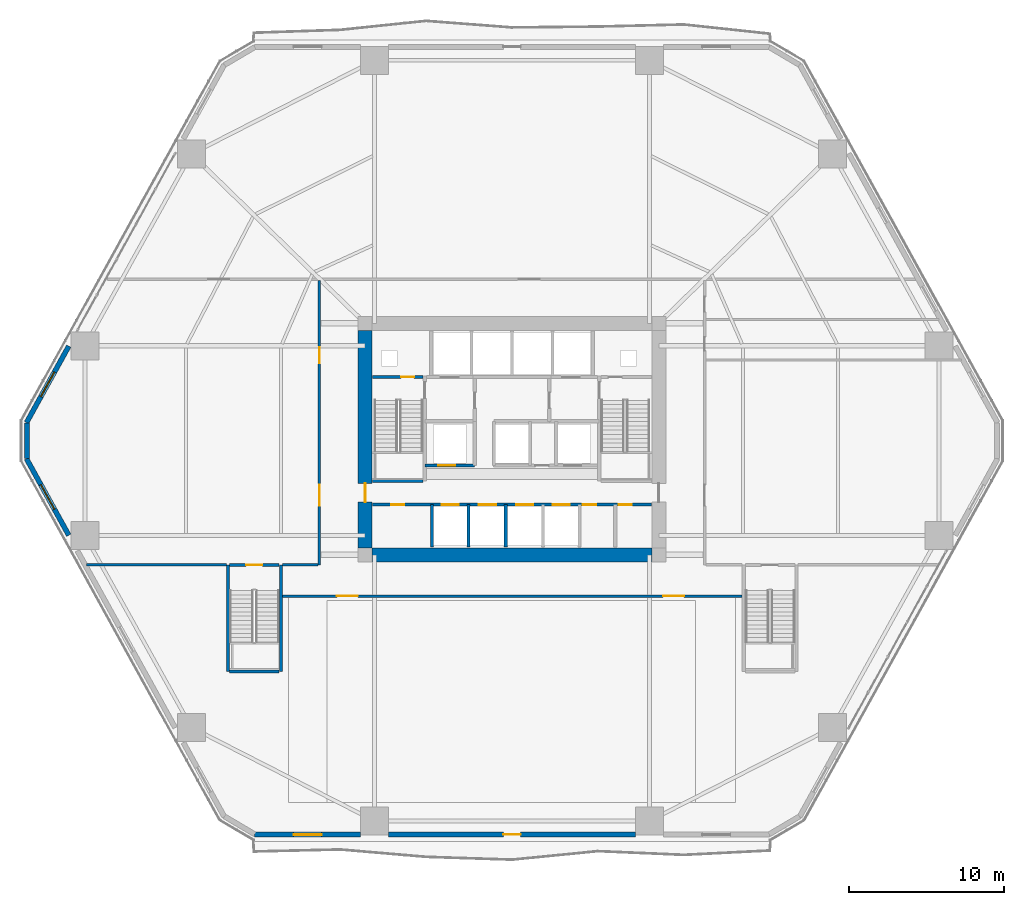
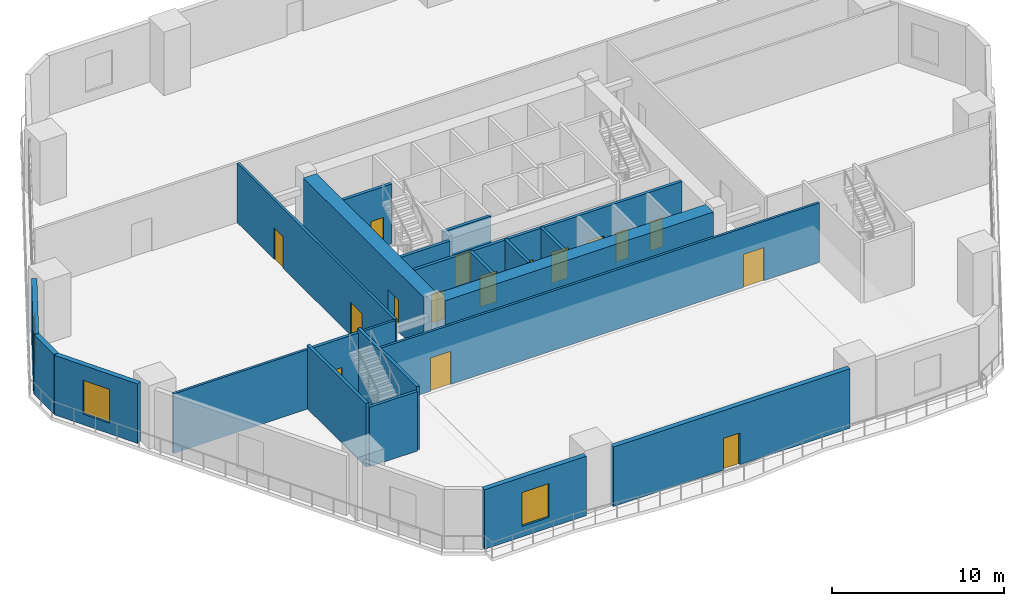
# One storey, part 9 of 18: 22 walls, 16 doors, 3 windows, 19 openings.
"""IFC4 building model written with IfcOpenShell, lengths in metres."""

from ifc_helpers import new_model, si_unit, direction, frame, frame_2d, origin, place, context, subcontext, project, spatial, rectangle, extrude, material, layer, layer_set, type_object, element, fill, save


model = new_model("IFC4")

# Units and contexts
model_context = context("Model", 3, precision=1e-05, world=origin(), true_north=direction((0.0, 1.0)))
body_context = subcontext(model_context, "Body", "Model", "MODEL_VIEW")
ifc_project = project(units=[si_unit("LENGTHUNIT", "METRE"), si_unit("AREAUNIT", "SQUARE_METRE"), si_unit("VOLUMEUNIT", "CUBIC_METRE"), si_unit("PLANEANGLEUNIT", "RADIAN"), si_unit("MASSUNIT", "GRAM", prefix="KILO")], contexts=[model_context])

# Site, building, storey
site_placement = place(None, origin())
site = spatial("IfcSite", under=ifc_project, at=site_placement, CompositionType="ELEMENT")
building_placement = place(site_placement, origin())
building = spatial("IfcBuilding", under=site, at=building_placement, Name="Cinnabar Lancet Tower", CompositionType="ELEMENT")
storey_placement = place(building_placement, frame((0.0, 0.0, 15.0)))
storey = spatial("IfcBuildingStorey", under=building, at=storey_placement, Name="L03", CompositionType="ELEMENT", Elevation=15.0)

# Wall, openings, doors
ifc_material_1 = material(Name="Acoustic twin-stud gypsum partition", Category="gypsum")
ifc_layer_1 = layer(ifc_material_1, 0.159912109375)
ifc_layer_set_1 = layer_set([ifc_layer_1], Name="Acoustic twin-stud gypsum partition")
wall_type_1 = type_object("IfcWallType", Name="ARC-WL-CORR-160", PredefinedType="PARTITIONING", material=ifc_layer_set_1)
wall_1_placement = place(storey_placement, frame((17.625, 15.800048828125, 0.0), z_axis=(0.0, 0.0, 1.0), x_axis=(1.0, 0.0, 0.0)))
wall_1 = element("IfcWall", 1, at=wall_1_placement, inside=storey, type_object=wall_type_1, Name="PW-L03-SHL", PredefinedType="PARTITIONING", context=body_context, shape_type="SweptSolid", body=[
    extrude(rectangle(XDim=29.590087890625, YDim=0.159912109375, at=frame_2d((14.794921875, 0.0))), origin(), (0.0, 0.0, 1.0), 4.219970703125),
])
opening_1_placement = place(wall_1_placement, frame((3.5, 0.0, 0.0)))
opening_1 = element("IfcOpeningElement", 2, at=opening_1_placement, cuts=wall_1, Name="Opening UD-02", PredefinedType="OPENING", context=body_context, shape_type="SweptSolid", body=[
    extrude(rectangle(XDim=1.35009765625, YDim=2.35009765625, at=frame_2d((0.675048828125, 1.175048828125))), frame((0.0, 0.08984375, 0.0), z_axis=(0.0, -1.0, 0.0), x_axis=(1.0, 0.0, 0.0)), (0.0, 0.0, 1.0), 0.179931640625),
])
opening_2_placement = place(wall_1_placement, frame((24.5, 0.0, 0.0)))
opening_2 = element("IfcOpeningElement", 3, at=opening_2_placement, cuts=wall_1, Name="Opening UD-02", PredefinedType="OPENING", context=body_context, shape_type="SweptSolid", body=[
    extrude(rectangle(XDim=1.35009765625, YDim=2.35009765625, at=frame_2d((0.675048828125, 1.175048828125))), frame((0.0, 0.08984375, 0.0), z_axis=(0.0, -1.0, 0.0), x_axis=(1.0, 0.0, 0.0)), (0.0, 0.0, 1.0), 0.179931640625),
])
ifc_material_2 = material(Name="Double-leaf solid timber penthouse entrance door", Category="wood")
door_type_1 = type_object("IfcDoorType", Name="ARC-DR-UNIT-PH", OperationType="NOTDEFINED", PredefinedType="DOOR", material=ifc_material_2)
door_1_placement = place(opening_1_placement, origin())
door_1 = element("IfcDoor", 4, at=door_1_placement, inside=storey, type_object=door_type_1, Name="DR-L03-MAIN1", OperationType="SINGLE_SWING_LEFT", OverallHeight=2.35009765625, OverallWidth=1.35009765625, PredefinedType="DOOR", context=body_context, shape_type="SweptSolid", body=[
    extrude(rectangle(XDim=1.35009765625, YDim=2.35009765625, at=frame_2d((0.675048828125, 1.175048828125))), frame((0.0, 0.02490234375, 0.0), z_axis=(0.0, -1.0, 0.0), x_axis=(1.0, 0.0, 0.0)), (0.0, 0.0, 1.0), 0.050048828125),
])
fill(opening_1, door_1)
door_2_placement = place(opening_2_placement, origin())
door_2 = element("IfcDoor", 5, at=door_2_placement, inside=storey, type_object=door_type_1, Name="DR-L03-MAIN2", OperationType="SINGLE_SWING_RIGHT", OverallHeight=2.35009765625, OverallWidth=1.35009765625, PredefinedType="DOOR", context=body_context, shape_type="SweptSolid", body=[
    extrude(rectangle(XDim=1.35009765625, YDim=2.35009765625, at=frame_2d((0.675048828125, 1.175048828125))), frame((0.0, 0.02490234375, 0.0), z_axis=(0.0, -1.0, 0.0), x_axis=(1.0, 0.0, 0.0)), (0.0, 0.0, 1.0), 0.050048828125),
])
fill(opening_2, door_2)

# Walls
wall_2_placement = place(storey_placement, frame((17.625, 17.800048828125, 0.0), z_axis=(0.0, 0.0, 1.0), x_axis=(1.0, 0.0, 0.0)))
element("IfcWall", 6, at=wall_2_placement, inside=storey, type_object=wall_type_1, Name="PW-L03-WSTEP", PredefinedType="PARTITIONING", context=body_context, shape_type="SweptSolid", body=[
    extrude(rectangle(XDim=2.2900390625, YDim=0.159912109375, at=frame_2d((1.14501953125, 0.0))), origin(), (0.0, 0.0, 1.0), 4.219970703125),
])
wall_3_placement = place(storey_placement, frame((5.02001953125, 17.800048828125, 0.0), z_axis=(0.0, 0.0, 1.0), x_axis=(1.0, 0.0, 0.0)))
element("IfcWall", 7, at=wall_3_placement, inside=storey, type_object=wall_type_1, Name="PW-L03-WSF", PredefinedType="PARTITIONING", context=body_context, shape_type="SweptSolid", body=[
    extrude(rectangle(XDim=8.994873046875, YDim=0.159912109375, at=frame_2d((4.49755859375, 0.0))), origin(), (0.0, 0.0, 1.0), 4.219970703125),
])

# Wall, openings, doors
wall_4_placement = place(storey_placement, frame((20.0, 17.800048828125, 0.0), z_axis=(0.0, 0.0, 1.0), x_axis=(0.0, 1.0, 0.0)))
wall_4 = element("IfcWall", 8, at=wall_4_placement, inside=storey, type_object=wall_type_1, Name="PW-L03-WWG", PredefinedType="PARTITIONING", context=body_context, shape_type="SweptSolid", body=[
    extrude(rectangle(XDim=18.31494140625, YDim=0.159912109375, at=frame_2d((9.157470703125, 0.0))), origin(), (0.0, 0.0, 1.0), 4.219970703125),
])
opening_3_placement = place(wall_4_placement, frame((3.800048828125, 0.0, 0.0)))
opening_3 = element("IfcOpeningElement", 9, at=opening_3_placement, cuts=wall_4, Name="Opening UD-02", PredefinedType="OPENING", context=body_context, shape_type="SweptSolid", body=[
    extrude(rectangle(XDim=1.35009765625, YDim=2.35009765625, at=frame_2d((0.675048828125, 1.175048828125))), frame((0.0, 0.08984375, 0.0), z_axis=(0.0, -1.0, 0.0), x_axis=(1.0, 0.0, 0.0)), (0.0, 0.0, 1.0), 0.179931640625),
])
opening_4_placement = place(wall_4_placement, frame((13.0, 0.0, 0.0)))
opening_4 = element("IfcOpeningElement", 10, at=opening_4_placement, cuts=wall_4, Name="Opening UD-01", PredefinedType="OPENING", context=body_context, shape_type="SweptSolid", body=[
    extrude(rectangle(XDim=1.02001953125, YDim=2.25, at=frame_2d((0.510009765625, 1.125))), frame((0.0, 0.08984375, 0.0), z_axis=(0.0, -1.0, 0.0), x_axis=(1.0, 0.0, 0.0)), (0.0, 0.0, 1.0), 0.179931640625),
])
ifc_material_3 = material(Name="Solid timber fire-rated apartment entrance door", Category="wood")
door_type_2 = type_object("IfcDoorType", Name="ARC-DR-UNIT", OperationType="NOTDEFINED", PredefinedType="DOOR", material=ifc_material_3)
door_3_placement = place(opening_4_placement, origin())
door_3 = element("IfcDoor", 11, at=door_3_placement, inside=storey, type_object=door_type_2, Name="DR-L03-WEST2", OperationType="SINGLE_SWING_RIGHT", OverallHeight=2.25, OverallWidth=1.02001953125, PredefinedType="DOOR", context=body_context, shape_type="SweptSolid", body=[
    extrude(rectangle(XDim=1.02001953125, YDim=2.25, at=frame_2d((0.510009765625, 1.125))), frame((0.0, 0.02490234375, 0.0), z_axis=(0.0, -1.0, 0.0), x_axis=(1.0, 0.0, 0.0)), (0.0, 0.0, 1.0), 0.050048828125),
])
fill(opening_4, door_3)
door_4_placement = place(opening_3_placement, origin())
door_4 = element("IfcDoor", 12, at=door_4_placement, inside=storey, type_object=door_type_1, Name="DR-L03-WEST1", OperationType="SINGLE_SWING_LEFT", OverallHeight=2.35009765625, OverallWidth=1.35009765625, PredefinedType="DOOR", context=body_context, shape_type="SweptSolid", body=[
    extrude(rectangle(XDim=1.35009765625, YDim=2.35009765625, at=frame_2d((0.675048828125, 1.175048828125))), frame((0.0, 0.02490234375, 0.0), z_axis=(0.0, -1.0, 0.0), x_axis=(1.0, 0.0, 0.0)), (0.0, 0.0, 1.0), 0.050048828125),
])
fill(opening_3, door_4)

# Wall
ifc_material_4 = material(Name="Autoclaved aerated concrete blockwork", Category="masonry")
ifc_layer_2 = layer(ifc_material_4, 0.199951171875)
ifc_layer_set_2 = layer_set([ifc_layer_2], Name="Autoclaved aerated concrete blockwork")
wall_type_2 = type_object("IfcWallType", Name="ARC-WL-SHAFT-200", PredefinedType="PLUMBINGWALL", material=ifc_layer_set_2)
wall_5_placement = place(storey_placement, frame((23.405029296875, 23.199951171875, 0.0), z_axis=(0.0, 0.0, 1.0), x_axis=(1.0, 0.0, 0.0)))
element("IfcWall", 13, at=wall_5_placement, inside=storey, type_object=wall_type_2, Name="CW-ST1S-L03", PredefinedType="PLUMBINGWALL", context=body_context, shape_type="SweptSolid", body=[
    extrude(rectangle(XDim=3.27001953125, YDim=0.199951171875, at=frame_2d((1.635009765625, 0.0))), origin(), (0.0, 0.0, 1.0), 4.219970703125),
])

# Wall, opening, door
wall_6_placement = place(storey_placement, frame((23.405029296875, 29.89990234375, 0.0), z_axis=(0.0, 0.0, 1.0), x_axis=(1.0, 0.0, 0.0)))
wall_6 = element("IfcWall", 14, at=wall_6_placement, inside=storey, type_object=wall_type_2, Name="CW-NSH-W-L03", PredefinedType="PLUMBINGWALL", context=body_context, shape_type="SweptSolid", body=[
    extrude(rectangle(XDim=3.27001953125, YDim=0.199951171875, at=frame_2d((1.635009765625, 0.0))), origin(), (0.0, 0.0, 1.0), 4.219970703125),
])
opening_5_placement = place(wall_6_placement, frame((1.85009765625, 0.0, 0.0)))
opening_5 = element("IfcOpeningElement", 15, at=opening_5_placement, cuts=wall_6, Name="Opening PD-02", PredefinedType="OPENING", context=body_context, shape_type="SweptSolid", body=[
    extrude(rectangle(XDim=0.85009765625, YDim=2.050048828125, at=frame_2d((0.425048828125, 1.02490234375))), frame((0.0, 0.10986328125, 0.0), z_axis=(0.0, -1.0, 0.0), x_axis=(1.0, 0.0, 0.0)), (0.0, 0.0, 1.0), 0.219970703125),
])
ifc_material_5 = material(Name="Fire-rated steel riser access door", Category="steel")
door_type_3 = type_object("IfcDoorType", Name="ARC-DR-RISER", OperationType="NOTDEFINED", PredefinedType="DOOR", material=ifc_material_5)
door_5_placement = place(opening_5_placement, origin())
door_5 = element("IfcDoor", 16, at=door_5_placement, inside=storey, type_object=door_type_3, Name="L03 West Riser Access Door", OperationType="SINGLE_SWING_LEFT", OverallHeight=2.050048828125, OverallWidth=0.85009765625, PredefinedType="DOOR", context=body_context, shape_type="SweptSolid", body=[
    extrude(rectangle(XDim=0.85009765625, YDim=2.050048828125, at=frame_2d((0.425048828125, 1.02490234375))), frame((0.0, 0.02490234375, 0.0), z_axis=(0.0, -1.0, 0.0), x_axis=(1.0, 0.0, 0.0)), (0.0, 0.0, 1.0), 0.050048828125),
])
fill(opening_5, door_5)

wall_7_placement = place(storey_placement, frame((26.800048828125, 24.199951171875, 0.0), z_axis=(0.0, 0.0, 1.0), x_axis=(1.0, 0.0, 0.0)))
wall_7 = element("IfcWall", 17, at=wall_7_placement, inside=storey, type_object=wall_type_2, Name="CW-PL5S-L03", PredefinedType="PLUMBINGWALL", context=body_context, shape_type="SweptSolid", body=[
    extrude(rectangle(XDim=3.199951171875, YDim=0.199951171875, at=frame_2d((1.60009765625, 0.0))), origin(), (0.0, 0.0, 1.0), 4.219970703125),
])
opening_6_placement = place(wall_7_placement, frame((0.85009765625, 0.0, 0.0)))
opening_6 = element("IfcOpeningElement", 18, at=opening_6_placement, cuts=wall_7, Name="Opening LD-01", PredefinedType="OPENING", context=body_context, shape_type="SweptSolid", body=[
    extrude(rectangle(XDim=1.10009765625, YDim=2.199951171875, at=frame_2d((0.550048828125, 1.10009765625))), frame((0.0, 0.10986328125, 0.0), z_axis=(0.0, -1.0, 0.0), x_axis=(1.0, 0.0, 0.0)), (0.0, 0.0, 1.0), 0.219970703125),
])
ifc_material_6 = material(Name="Brushed stainless steel sliding lift door", Category="steel")
door_type_4 = type_object("IfcDoorType", Name="ARC-DR-LD-PASS", OperationType="NOTDEFINED", PredefinedType="DOOR", material=ifc_material_6)
door_6_placement = place(opening_6_placement, origin())
door_6 = element("IfcDoor", 19, at=door_6_placement, inside=storey, type_object=door_type_4, Name="L03 Lift PL-5 Landing Door", OperationType="DOUBLE_DOOR_SLIDING", OverallHeight=2.199951171875, OverallWidth=1.10009765625, PredefinedType="DOOR", context=body_context, shape_type="SweptSolid", body=[
    extrude(rectangle(XDim=1.10009765625, YDim=2.199951171875, at=frame_2d((0.550048828125, 1.10009765625))), frame((0.0, 0.02490234375, 0.0), z_axis=(0.0, -1.0, 0.0), x_axis=(1.0, 0.0, 0.0)), (0.0, 0.0, 1.0), 0.050048828125),
])
fill(opening_6, door_6)

# Wall, openings, doors
wall_8_placement = place(storey_placement, frame((23.419921875, 21.679931640625, 0.0), z_axis=(0.0, 0.0, 1.0), x_axis=(1.0, 0.0, 0.0)))
wall_8 = element("IfcWall", 20, at=wall_8_placement, inside=storey, type_object=wall_type_2, Name="CW-SBANDN-L03", PredefinedType="PLUMBINGWALL", context=body_context, shape_type="SweptSolid", body=[
    extrude(rectangle(XDim=17.9599609375, YDim=0.199951171875, at=frame_2d((8.97998046875, 0.0))), origin(), (0.0, 0.0, 1.0), 4.219970703125),
])
opening_7_placement = place(wall_8_placement, frame((4.449951171875, 0.0, 0.0)))
opening_7 = element("IfcOpeningElement", 21, at=opening_7_placement, cuts=wall_8, Name="Opening LD-01", PredefinedType="OPENING", context=body_context, shape_type="SweptSolid", body=[
    extrude(rectangle(XDim=1.10009765625, YDim=2.199951171875, at=frame_2d((0.550048828125, 1.10009765625))), frame((0.0, 0.10986328125, 0.0), z_axis=(0.0, -1.0, 0.0), x_axis=(1.0, 0.0, 0.0)), (0.0, 0.0, 1.0), 0.219970703125),
])
opening_8_placement = place(wall_8_placement, frame((6.85009765625, 0.0, 0.0)))
opening_8 = element("IfcOpeningElement", 22, at=opening_8_placement, cuts=wall_8, Name="Opening LD-01", PredefinedType="OPENING", context=body_context, shape_type="SweptSolid", body=[
    extrude(rectangle(XDim=1.10009765625, YDim=2.199951171875, at=frame_2d((0.550048828125, 1.10009765625))), frame((0.0, 0.10986328125, 0.0), z_axis=(0.0, -1.0, 0.0), x_axis=(1.0, 0.0, 0.0)), (0.0, 0.0, 1.0), 0.219970703125),
])
opening_9_placement = place(wall_8_placement, frame((9.25, 0.0, 0.0)))
opening_9 = element("IfcOpeningElement", 23, at=opening_9_placement, cuts=wall_8, Name="Opening LD-01", PredefinedType="OPENING", context=body_context, shape_type="SweptSolid", body=[
    extrude(rectangle(XDim=1.10009765625, YDim=2.199951171875, at=frame_2d((0.550048828125, 1.10009765625))), frame((0.0, 0.10986328125, 0.0), z_axis=(0.0, -1.0, 0.0), x_axis=(1.0, 0.0, 0.0)), (0.0, 0.0, 1.0), 0.219970703125),
])
opening_10_placement = place(wall_8_placement, frame((11.60009765625, 0.0, 0.0)))
opening_10 = element("IfcOpeningElement", 24, at=opening_10_placement, cuts=wall_8, Name="Opening LD-01", PredefinedType="OPENING", context=body_context, shape_type="SweptSolid", body=[
    extrude(rectangle(XDim=1.10009765625, YDim=2.199951171875, at=frame_2d((0.550048828125, 1.10009765625))), frame((0.0, 0.10986328125, 0.0), z_axis=(0.0, -1.0, 0.0), x_axis=(1.0, 0.0, 0.0)), (0.0, 0.0, 1.0), 0.219970703125),
])
opening_11_placement = place(wall_8_placement, frame((1.199951171875, 0.0, 0.0)))
opening_11 = element("IfcOpeningElement", 25, at=opening_11_placement, cuts=wall_8, Name="Opening PD-02", PredefinedType="OPENING", context=body_context, shape_type="SweptSolid", body=[
    extrude(rectangle(XDim=0.85009765625, YDim=2.050048828125, at=frame_2d((0.425048828125, 1.02490234375))), frame((0.0, 0.10986328125, 0.0), z_axis=(0.0, -1.0, 0.0), x_axis=(1.0, 0.0, 0.0)), (0.0, 0.0, 1.0), 0.219970703125),
])
opening_12_placement = place(wall_8_placement, frame((13.550048828125, 0.0, 0.0)))
opening_12 = element("IfcOpeningElement", 26, at=opening_12_placement, cuts=wall_8, Name="Opening PD-02", PredefinedType="OPENING", context=body_context, shape_type="SweptSolid", body=[
    extrude(rectangle(XDim=0.85009765625, YDim=2.050048828125, at=frame_2d((0.425048828125, 1.02490234375))), frame((0.0, 0.10986328125, 0.0), z_axis=(0.0, -1.0, 0.0), x_axis=(1.0, 0.0, 0.0)), (0.0, 0.0, 1.0), 0.219970703125),
])
opening_13_placement = place(wall_8_placement, frame((15.85009765625, 0.0, 0.0)))
opening_13 = element("IfcOpeningElement", 27, at=opening_13_placement, cuts=wall_8, Name="Opening PD-02", PredefinedType="OPENING", context=body_context, shape_type="SweptSolid", body=[
    extrude(rectangle(XDim=0.85009765625, YDim=2.050048828125, at=frame_2d((0.425048828125, 1.02490234375))), frame((0.0, 0.10986328125, 0.0), z_axis=(0.0, -1.0, 0.0), x_axis=(1.0, 0.0, 0.0)), (0.0, 0.0, 1.0), 0.219970703125),
])
door_7_placement = place(opening_7_placement, origin())
door_7 = element("IfcDoor", 28, at=door_7_placement, inside=storey, type_object=door_type_4, Name="L03 Lift PL-1 Landing Door", OperationType="DOUBLE_DOOR_SLIDING", OverallHeight=2.199951171875, OverallWidth=1.10009765625, PredefinedType="DOOR", context=body_context, shape_type="SweptSolid", body=[
    extrude(rectangle(XDim=1.10009765625, YDim=2.199951171875, at=frame_2d((0.550048828125, 1.10009765625))), frame((0.0, 0.02490234375, 0.0), z_axis=(0.0, -1.0, 0.0), x_axis=(1.0, 0.0, 0.0)), (0.0, 0.0, 1.0), 0.050048828125),
])
fill(opening_7, door_7)
door_8_placement = place(opening_8_placement, origin())
door_8 = element("IfcDoor", 29, at=door_8_placement, inside=storey, type_object=door_type_4, Name="L03 Lift PL-2 Landing Door", OperationType="DOUBLE_DOOR_SLIDING", OverallHeight=2.199951171875, OverallWidth=1.10009765625, PredefinedType="DOOR", context=body_context, shape_type="SweptSolid", body=[
    extrude(rectangle(XDim=1.10009765625, YDim=2.199951171875, at=frame_2d((0.550048828125, 1.10009765625))), frame((0.0, 0.02490234375, 0.0), z_axis=(0.0, -1.0, 0.0), x_axis=(1.0, 0.0, 0.0)), (0.0, 0.0, 1.0), 0.050048828125),
])
fill(opening_8, door_8)
door_9_placement = place(opening_9_placement, origin())
door_9 = element("IfcDoor", 30, at=door_9_placement, inside=storey, type_object=door_type_4, Name="L03 Lift PL-3 Landing Door", OperationType="DOUBLE_DOOR_SLIDING", OverallHeight=2.199951171875, OverallWidth=1.10009765625, PredefinedType="DOOR", context=body_context, shape_type="SweptSolid", body=[
    extrude(rectangle(XDim=1.10009765625, YDim=2.199951171875, at=frame_2d((0.550048828125, 1.10009765625))), frame((0.0, 0.02490234375, 0.0), z_axis=(0.0, -1.0, 0.0), x_axis=(1.0, 0.0, 0.0)), (0.0, 0.0, 1.0), 0.050048828125),
])
fill(opening_9, door_9)
door_10_placement = place(opening_10_placement, origin())
door_10 = element("IfcDoor", 31, at=door_10_placement, inside=storey, type_object=door_type_4, Name="L03 Lift PL-4 Landing Door", OperationType="DOUBLE_DOOR_SLIDING", OverallHeight=2.199951171875, OverallWidth=1.10009765625, PredefinedType="DOOR", context=body_context, shape_type="SweptSolid", body=[
    extrude(rectangle(XDim=1.10009765625, YDim=2.199951171875, at=frame_2d((0.550048828125, 1.10009765625))), frame((0.0, 0.02490234375, 0.0), z_axis=(0.0, -1.0, 0.0), x_axis=(1.0, 0.0, 0.0)), (0.0, 0.0, 1.0), 0.050048828125),
])
fill(opening_10, door_10)
door_11_placement = place(opening_11_placement, origin())
door_11 = element("IfcDoor", 32, at=door_11_placement, inside=storey, type_object=door_type_3, Name="DR-L03-SW1", OperationType="SINGLE_SWING_LEFT", OverallHeight=2.050048828125, OverallWidth=0.85009765625, PredefinedType="DOOR", context=body_context, shape_type="SweptSolid", body=[
    extrude(rectangle(XDim=0.85009765625, YDim=2.050048828125, at=frame_2d((0.425048828125, 1.02490234375))), frame((0.0, 0.02490234375, 0.0), z_axis=(0.0, -1.0, 0.0), x_axis=(1.0, 0.0, 0.0)), (0.0, 0.0, 1.0), 0.050048828125),
])
fill(opening_11, door_11)
door_12_placement = place(opening_12_placement, origin())
door_12 = element("IfcDoor", 33, at=door_12_placement, inside=storey, type_object=door_type_3, Name="DR-L03-SE1", OperationType="SINGLE_SWING_LEFT", OverallHeight=2.050048828125, OverallWidth=0.85009765625, PredefinedType="DOOR", context=body_context, shape_type="SweptSolid", body=[
    extrude(rectangle(XDim=0.85009765625, YDim=2.050048828125, at=frame_2d((0.425048828125, 1.02490234375))), frame((0.0, 0.02490234375, 0.0), z_axis=(0.0, -1.0, 0.0), x_axis=(1.0, 0.0, 0.0)), (0.0, 0.0, 1.0), 0.050048828125),
])
fill(opening_12, door_12)
door_13_placement = place(opening_13_placement, origin())
door_13 = element("IfcDoor", 34, at=door_13_placement, inside=storey, type_object=door_type_3, Name="DR-L03-SE2", OperationType="SINGLE_SWING_RIGHT", OverallHeight=2.050048828125, OverallWidth=0.85009765625, PredefinedType="DOOR", context=body_context, shape_type="SweptSolid", body=[
    extrude(rectangle(XDim=0.85009765625, YDim=2.050048828125, at=frame_2d((0.425048828125, 1.02490234375))), frame((0.0, 0.02490234375, 0.0), z_axis=(0.0, -1.0, 0.0), x_axis=(1.0, 0.0, 0.0)), (0.0, 0.0, 1.0), 0.050048828125),
])
fill(opening_13, door_13)

# Walls
for number, where, z_axis, x_axis, name in (
    (35, (27.25, 18.949951171875, 0.0), (0.0, 0.0, 1.0), (0.0, 1.0, 0.0), "CW-SB-2725-L03"),
    (36, (29.60009765625, 18.949951171875, 0.0), (0.0, 0.0, 1.0), (0.0, 1.0, 0.0), "CW-SB-2960-L03"),
    (37, (32.0, 18.949951171875, 0.0), (0.0, 0.0, 1.0), (0.0, 1.0, 0.0), "CW-SB-3200-L03"),
):
    element("IfcWall", number, at=place(storey_placement, frame(where, z_axis=z_axis, x_axis=x_axis)), inside=storey, type_object=wall_type_2, Name=name, PredefinedType="PLUMBINGWALL", context=body_context, shape_type="SweptSolid", body=[
        extrude(rectangle(XDim=2.72998046875, YDim=0.199951171875, at=frame_2d((1.364990234375, 0.0))), origin(), (0.0, 0.0, 1.0), 4.219970703125),
    ])
wall_9_placement = place(storey_placement, frame((14.22509765625, 10.949951171875, 0.0), z_axis=(0.0, 0.0, 1.0), x_axis=(1.0, 0.0, 0.0)))
element("IfcWall", 38, at=wall_9_placement, inside=storey, type_object=wall_type_2, Name="PW-ST3S-L03", PredefinedType="PLUMBINGWALL", context=body_context, shape_type="SweptSolid", body=[
    extrude(rectangle(XDim=3.18994140625, YDim=0.199951171875, at=frame_2d((1.594970703125, 0.0))), origin(), (0.0, 0.0, 1.0), 4.219970703125),
])

# Wall, opening, door
wall_10_placement = place(storey_placement, frame((14.22509765625, 17.800048828125, 0.0), z_axis=(0.0, 0.0, 1.0), x_axis=(1.0, 0.0, 0.0)))
wall_10 = element("IfcWall", 39, at=wall_10_placement, inside=storey, type_object=wall_type_2, Name="PW-ST3N-L03", PredefinedType="PLUMBINGWALL", context=body_context, shape_type="SweptSolid", body=[
    extrude(rectangle(XDim=3.18994140625, YDim=0.199951171875, at=frame_2d((1.594970703125, 0.0))), origin(), (0.0, 0.0, 1.0), 4.219970703125),
])
opening_14_placement = place(wall_10_placement, frame((1.050048828125, 0.0, 0.0)))
opening_14 = element("IfcOpeningElement", 40, at=opening_14_placement, cuts=wall_10, Name="Opening SD-01", PredefinedType="OPENING", context=body_context, shape_type="SweptSolid", body=[
    extrude(rectangle(XDim=1.050048828125, YDim=2.14990234375, at=frame_2d((0.52490234375, 1.074951171875))), frame((0.0, 0.10986328125, 0.0), z_axis=(0.0, -1.0, 0.0), x_axis=(1.0, 0.0, 0.0)), (0.0, 0.0, 1.0), 0.219970703125),
])
ifc_material_7 = material(Name="Fire-rated steel stair exit door", Category="steel")
door_type_5 = type_object("IfcDoorType", Name="ARC-DR-STAIR", OperationType="NOTDEFINED", PredefinedType="DOOR", material=ifc_material_7)
door_14_placement = place(opening_14_placement, origin())
door_14 = element("IfcDoor", 41, at=door_14_placement, inside=storey, type_object=door_type_5, Name="L03 Podium Stair ST-3 Fire Door", OperationType="SINGLE_SWING_LEFT", OverallHeight=2.14990234375, OverallWidth=1.050048828125, PredefinedType="DOOR", context=body_context, shape_type="SweptSolid", body=[
    extrude(rectangle(XDim=1.050048828125, YDim=2.14990234375, at=frame_2d((0.52490234375, 1.074951171875))), frame((0.0, 0.02490234375, 0.0), z_axis=(0.0, -1.0, 0.0), x_axis=(1.0, 0.0, 0.0)), (0.0, 0.0, 1.0), 0.050048828125),
])
fill(opening_14, door_14)

# Wall
ifc_material_8 = material(Name="Warm buff clay brick", Category="masonry")
ifc_layer_3 = layer(ifc_material_8, 0.320068359375)
ifc_layer_set_3 = layer_set([ifc_layer_3], Name="Warm buff clay brick")
wall_type_3 = type_object("IfcWallType", Name="ENV-WL-BRK-BUF-320", PredefinedType="STANDARD", material=ifc_layer_set_3)
wall_11_placement = place(storey_placement, frame((1.1650390625, 26.9541015625, 0.0), z_axis=(0.0, 0.0, 1.0), x_axis=(0.0, -1.0, 0.0)))
element("IfcWall", 42, at=wall_11_placement, inside=storey, type_object=wall_type_3, Name="L03 Chamfered Corner Brick Pier 6.1", PredefinedType="STANDARD", context=body_context, shape_type="SweptSolid", body=[
    extrude(rectangle(XDim=2.30810546875, YDim=0.320068359375, at=frame_2d((1.154052734375, 0.0))), origin(), (0.0, 0.0, 1.0), 4.219970703125),
])

# Wall, opening, window
wall_12_placement = place(storey_placement, frame((15.83203125, 0.43994140625, 0.0), z_axis=(0.0, 0.0, 1.0), x_axis=(1.0, 0.0, 0.0)))
wall_12 = element("IfcWall", 43, at=wall_12_placement, inside=storey, type_object=wall_type_3, Name="L03 Face 1 Masonry Bay Wall 1", PredefinedType="STANDARD", context=body_context, shape_type="SweptSolid", body=[
    extrude(rectangle(XDim=6.81884765625, YDim=0.320068359375, at=frame_2d((3.409423828125, 0.0))), origin(), (0.0, 0.0, 1.0), 4.219970703125),
])
opening_15_placement = place(wall_12_placement, frame((2.509033203125, 0.0, 0.75)))
opening_15 = element("IfcOpeningElement", 44, at=opening_15_placement, cuts=wall_12, Name="Opening WN-05", PredefinedType="OPENING", context=body_context, shape_type="SweptSolid", body=[
    extrude(rectangle(XDim=1.800048828125, YDim=2.39990234375, at=frame_2d((0.89990234375, 1.199951171875))), frame((0.0, 0.169921875, 0.0), z_axis=(0.0, -1.0, 0.0), x_axis=(1.0, 0.0, 0.0)), (0.0, 0.0, 1.0), 0.340087890625),
])
ifc_material_9 = material(Name="Thermally broken bronze-anodized aluminium podium lancet window", Category="aluminium")
window_type = type_object("IfcWindowType", Name="ENV-WN-POD-1800", PartitioningType="SINGLE_PANEL", PredefinedType="WINDOW", material=ifc_material_9)
window_1_placement = place(opening_15_placement, origin())
window_1 = element("IfcWindow", 45, at=window_1_placement, inside=storey, type_object=window_type, Name="L03 Face 1 Gothic Lancet Window 1", OverallHeight=2.39990234375, OverallWidth=1.800048828125, PartitioningType="SINGLE_PANEL", PredefinedType="WINDOW", context=body_context, shape_type="SweptSolid", body=[
    extrude(rectangle(XDim=1.800048828125, YDim=2.39990234375, at=frame_2d((0.89990234375, 1.199951171875))), frame((0.0, 0.030029296875, 0.0), z_axis=(0.0, -1.0, 0.0), x_axis=(1.0, 0.0, 0.0)), (0.0, 0.0, 1.0), 0.06005859375),
])
fill(opening_15, window_1)

# Wall, opening, door
wall_13_placement = place(storey_placement, frame((24.458984375, 0.43994140625, 0.0), z_axis=(0.0, 0.0, 1.0), x_axis=(1.0, 0.0, 0.0)))
wall_13 = element("IfcWall", 46, at=wall_13_placement, inside=storey, type_object=wall_type_3, Name="L03 Face 1 Masonry Bay Wall 2", PredefinedType="STANDARD", context=body_context, shape_type="SweptSolid", body=[
    extrude(rectangle(XDim=15.882080078125, YDim=0.320068359375, at=frame_2d((7.94091796875, 0.0))), origin(), (0.0, 0.0, 1.0), 4.219970703125),
])
opening_16_placement = place(wall_13_placement, frame((7.39111328125, 0.0, 0.0)))
opening_16 = element("IfcOpeningElement", 47, at=opening_16_placement, cuts=wall_13, Name="Opening TD-01", PredefinedType="OPENING", context=body_context, shape_type="SweptSolid", body=[
    extrude(rectangle(XDim=1.10009765625, YDim=2.25, at=frame_2d((0.550048828125, 1.125))), frame((0.0, 0.169921875, 0.0), z_axis=(0.0, -1.0, 0.0), x_axis=(1.0, 0.0, 0.0)), (0.0, 0.0, 1.0), 0.340087890625),
])
ifc_material_10 = material(Name="Thermally broken low-E glazed balcony terrace door", Category="wood")
door_type_6 = type_object("IfcDoorType", Name="ARC-DR-BALC", OperationType="NOTDEFINED", PredefinedType="DOOR", material=ifc_material_10)
door_15_placement = place(opening_16_placement, origin())
door_15 = element("IfcDoor", 48, at=door_15_placement, inside=storey, type_object=door_type_6, Name="L03 Face 1 Glazed Terrace Door", OperationType="SINGLE_SWING_RIGHT", OverallHeight=2.25, OverallWidth=1.10009765625, PredefinedType="DOOR", context=body_context, shape_type="SweptSolid", body=[
    extrude(rectangle(XDim=1.10009765625, YDim=2.25, at=frame_2d((0.550048828125, 1.125))), frame((0.0, 0.02490234375, 0.0), z_axis=(0.0, -1.0, 0.0), x_axis=(1.0, 0.0, 0.0)), (0.0, 0.0, 1.0), 0.050048828125),
])
fill(opening_16, door_15)

# Wall, opening, window
wall_14_placement = place(storey_placement, frame((3.865966796875, 31.887939453125, 0.0), z_axis=(0.0, 0.0, 1.0), x_axis=(-0.483638013798, -0.875268114128, 0.0)))
wall_14 = element("IfcWall", 49, at=wall_14_placement, inside=storey, type_object=wall_type_3, Name="L03 Face 5 Masonry Bay Wall 3", PredefinedType="STANDARD", context=body_context, shape_type="SweptSolid", body=[
    extrude(rectangle(XDim=5.6279296875, YDim=0.320068359375, at=frame_2d((2.81396484375, 0.0))), origin(), (0.0, 0.0, 1.0), 4.219970703125),
])
opening_17_placement = place(wall_14_placement, frame((1.9140625, 0.0, 0.75)))
opening_17 = element("IfcOpeningElement", 50, at=opening_17_placement, cuts=wall_14, Name="Opening WN-05", PredefinedType="OPENING", context=body_context, shape_type="SweptSolid", body=[
    extrude(rectangle(XDim=1.800048828125, YDim=2.39990234375, at=frame_2d((0.89990234375, 1.199951171875))), frame((0.0, 0.169921875, 0.0), z_axis=(0.0, -1.0, 0.0), x_axis=(1.0, 0.0, 0.0)), (0.0, 0.0, 1.0), 0.340087890625),
])
window_2_placement = place(opening_17_placement, origin())
window_2 = element("IfcWindow", 51, at=window_2_placement, inside=storey, type_object=window_type, Name="L03 Face 5 Gothic Lancet Window 3", OverallHeight=2.39990234375, OverallWidth=1.800048828125, PartitioningType="SINGLE_PANEL", PredefinedType="WINDOW", context=body_context, shape_type="SweptSolid", body=[
    extrude(rectangle(XDim=1.800048828125, YDim=2.39990234375, at=frame_2d((0.89990234375, 1.199951171875))), frame((0.0, 0.030029296875, 0.0), z_axis=(0.0, -1.0, 0.0), x_axis=(1.0, 0.0, 0.0)), (0.0, 0.0, 1.0), 0.06005859375),
])
fill(opening_17, window_2)

wall_15_placement = place(storey_placement, frame((1.14404296875, 24.637939453125, 0.0), z_axis=(0.0, 0.0, 1.0), x_axis=(0.483638013798, -0.875268114128, 0.0)))
wall_15 = element("IfcWall", 52, at=wall_15_placement, inside=storey, type_object=wall_type_3, Name="L03 Face 6 Masonry Bay Wall 1", PredefinedType="STANDARD", context=body_context, shape_type="SweptSolid", body=[
    extrude(rectangle(XDim=5.6279296875, YDim=0.320068359375, at=frame_2d((2.81396484375, 0.0))), origin(), (0.0, 0.0, 1.0), 4.219970703125),
])
opening_18_placement = place(wall_15_placement, frame((1.9140625, 0.0, 0.75)))
opening_18 = element("IfcOpeningElement", 53, at=opening_18_placement, cuts=wall_15, Name="Opening WN-05", PredefinedType="OPENING", context=body_context, shape_type="SweptSolid", body=[
    extrude(rectangle(XDim=1.800048828125, YDim=2.39990234375, at=frame_2d((0.89990234375, 1.199951171875))), frame((0.0, 0.169921875, 0.0), z_axis=(0.0, -1.0, 0.0), x_axis=(1.0, 0.0, 0.0)), (0.0, 0.0, 1.0), 0.340087890625),
])
window_3_placement = place(opening_18_placement, origin())
window_3 = element("IfcWindow", 54, at=window_3_placement, inside=storey, type_object=window_type, Name="L03 Face 6 Gothic Lancet Window 1", OverallHeight=2.39990234375, OverallWidth=1.800048828125, PartitioningType="SINGLE_PANEL", PredefinedType="WINDOW", context=body_context, shape_type="SweptSolid", body=[
    extrude(rectangle(XDim=1.800048828125, YDim=2.39990234375, at=frame_2d((0.89990234375, 1.199951171875))), frame((0.0, 0.030029296875, 0.0), z_axis=(0.0, -1.0, 0.0), x_axis=(1.0, 0.0, 0.0)), (0.0, 0.0, 1.0), 0.06005859375),
])
fill(opening_18, window_3)

# Wall
ifc_material_11 = material(Name="Concrete C80/95", Category="concrete")
ifc_layer_4 = layer(ifc_material_11, 0.89990234375)
ifc_layer_set_4 = layer_set([ifc_layer_4], Name="Concrete C80/95")
wall_type_4 = type_object("IfcWallType", Name="STR-WL-CORE-900", PredefinedType="SHEAR", material=ifc_layer_set_4)
wall_16_placement = place(storey_placement, frame((23.39990234375, 18.449951171875, 0.0), z_axis=(0.0, 0.0, 1.0), x_axis=(1.0, 0.0, 0.0)))
element("IfcWall", 55, at=wall_16_placement, inside=storey, type_object=wall_type_4, Name="L03 Core Shear Wall S", PredefinedType="SHEAR", context=body_context, shape_type="SweptSolid", body=[
    extrude(rectangle(XDim=18.0, YDim=0.89990234375, at=frame_2d((9.0, 0.0))), origin(), (0.0, 0.0, 1.0), 4.219970703125),
])

# Wall, opening, door
wall_17_placement = place(storey_placement, frame((22.949951171875, 18.89990234375, 0.0), z_axis=(0.0, 0.0, 1.0), x_axis=(0.0, 1.0, 0.0)))
wall_17 = element("IfcWall", 56, at=wall_17_placement, inside=storey, type_object=wall_type_4, Name="L03 Core Shear Wall W", PredefinedType="SHEAR", context=body_context, shape_type="SweptSolid", body=[
    extrude(rectangle(XDim=14.0, YDim=0.89990234375, at=frame_2d((7.0, 0.0))), origin(), (0.0, 0.0, 1.0), 4.219970703125),
])
opening_19_placement = place(wall_17_placement, frame((2.93994140625, 0.0, 0.0)))
opening_19 = element("IfcOpeningElement", 57, at=opening_19_placement, cuts=wall_17, Name="Opening FD-02", PredefinedType="OPENING", context=body_context, shape_type="SweptSolid", body=[
    extrude(rectangle(XDim=1.219970703125, YDim=2.25, at=frame_2d((0.60986328125, 1.125))), frame((0.0, 0.4599609375, 0.0), z_axis=(0.0, -1.0, 0.0), x_axis=(1.0, 0.0, 0.0)), (0.0, 0.0, 1.0), 0.919921875),
])
ifc_material_12 = material(Name="Fire-rated double-vision core portal door", Category="wood")
door_type_7 = type_object("IfcDoorType", Name="ARC-DR-CPORT", OperationType="NOTDEFINED", PredefinedType="DOOR", material=ifc_material_12)
door_16_placement = place(opening_19_placement, origin())
door_16 = element("IfcDoor", 58, at=door_16_placement, inside=storey, type_object=door_type_7, Name="L03 West Core Lobby Fire Door", OperationType="SINGLE_SWING_RIGHT", OverallHeight=2.25, OverallWidth=1.219970703125, PredefinedType="DOOR", context=body_context, shape_type="SweptSolid", body=[
    extrude(rectangle(XDim=1.219970703125, YDim=2.25, at=frame_2d((0.60986328125, 1.125))), frame((0.0, 0.02490234375, 0.0), z_axis=(0.0, -1.0, 0.0), x_axis=(1.0, 0.0, 0.0)), (0.0, 0.0, 1.0), 0.050048828125),
])
fill(opening_19, door_16)

# Walls
ifc_material_13 = material(Name="Concrete C50/60", Category="concrete")
ifc_layer_5 = layer(ifc_material_13, 0.199951171875)
ifc_layer_set_5 = layer_set([ifc_layer_5], Name="Concrete C50/60")
wall_type_5 = type_object("IfcWallType", Name="STR-WL-STAIR-200", PredefinedType="SHEAR", material=ifc_layer_set_5)
for number, where, z_axis, x_axis, name in (
    (59, (14.1201171875, 10.949951171875, 0.0), (0.0, 0.0, 1.0), (0.0, 1.0, 0.0), "L03 Stair ST3 West Structural Wall"),
    (60, (17.52001953125, 10.949951171875, 0.0), (0.0, 0.0, 1.0), (0.0, 1.0, 0.0), "L03 Stair ST3 East Structural Wall"),
):
    element("IfcWall", number, at=place(storey_placement, frame(where, z_axis=z_axis, x_axis=x_axis)), inside=storey, type_object=wall_type_5, Name=name, PredefinedType="SHEAR", context=body_context, shape_type="SweptSolid", body=[
        extrude(rectangle(XDim=6.85009765625, YDim=0.199951171875, at=frame_2d((3.425048828125, 0.0))), origin(), (0.0, 0.0, 1.0), 4.5),
    ])

save(model, "model.ifc")
